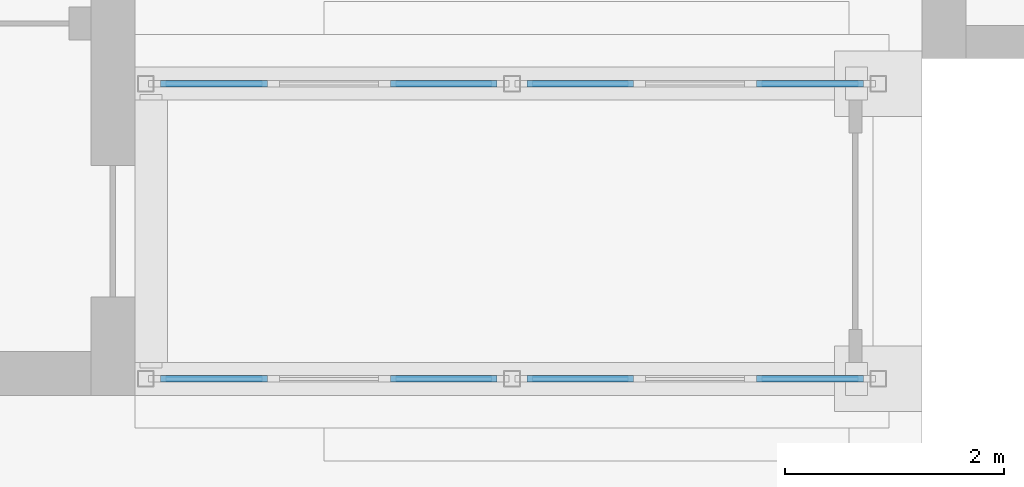
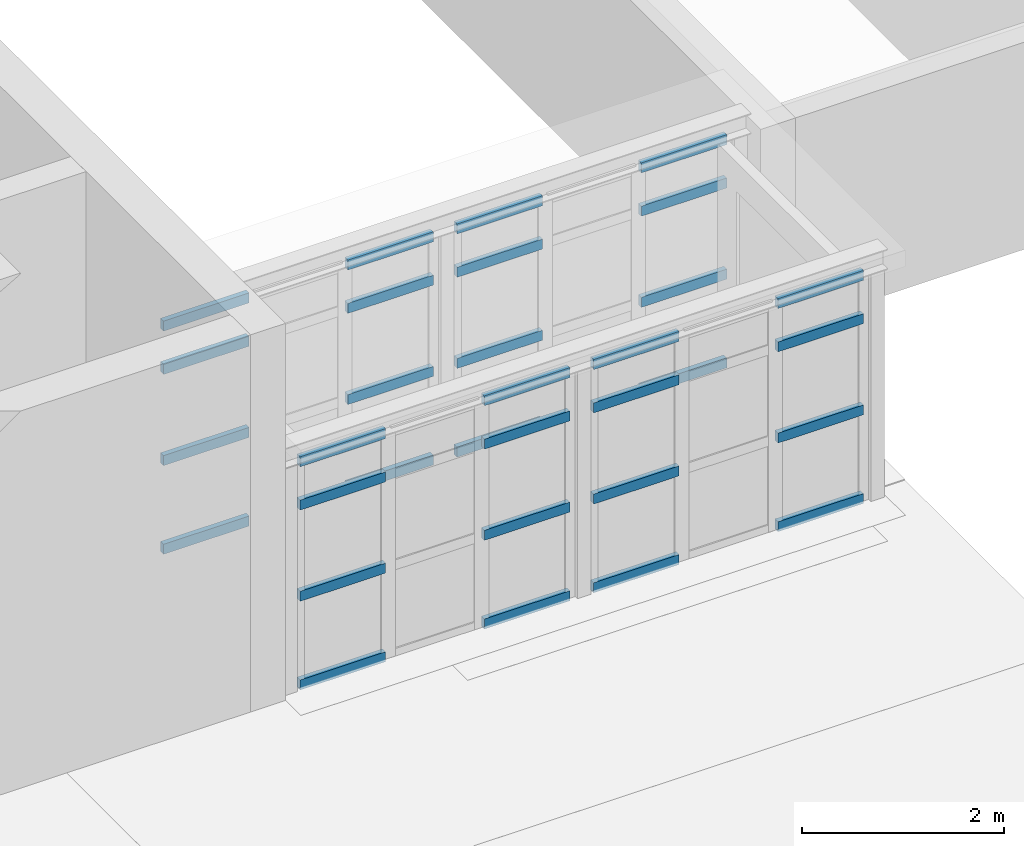
# One storey, part 58 of 131: 32 members, 4 elements without a shape of their own.
"""IFC4 building model written with IfcOpenShell, lengths in metres."""

import ifcopenshell
import ifcopenshell.guid

model = None  # the IFC model being written
_history = None  # IfcOwnerHistory: only IFC2X3 demands one
_inside = {}  # id of a spatial element -> (the spatial element, [elements in it])
_under = {}  # id of a project, library or spatial element -> (it, [spatial elements below it])
_declared = {}  # id of a project -> (the project, [libraries it declares])
_typed = {}  # id of a type object -> (the type object, [elements of that type])
_made_of = {}  # id of a material, layer set ... -> (it, [elements and type objects made of it])


def new_model(schema):
    """Start an empty IFC model of exactly this schema.

    Asked for "IFC4X3", IfcOpenShell would pick the latest addendum, in which some entities
    have other attributes; the version numbers below select the first issue.
    IFC2X3 requires an IfcOwnerHistory on every rooted entity: one is made here for all.
    """
    global model, _history
    if schema == "IFC4X3":
        model = ifcopenshell.file(schema_version=(4, 3, 0, 0))
    else:
        model = ifcopenshell.file(schema=schema)
    _inside.clear()
    _under.clear()
    _declared.clear()
    _typed.clear()
    _made_of.clear()
    _history = None
    if model.schema == "IFC2X3":
        org = make("IfcOrganization", Name="unknown")
        user = make(
            "IfcPersonAndOrganization",
            ThePerson=make("IfcPerson", FamilyName="unknown"),
            TheOrganization=org,
        )
        app = make(
            "IfcApplication",
            ApplicationDeveloper=org,
            Version="unknown",
            ApplicationFullName="unknown",
            ApplicationIdentifier="unknown",
        )
        _history = make(
            "IfcOwnerHistory",
            OwningUser=user,
            OwningApplication=app,
            ChangeAction="ADDED",
            CreationDate=0,
        )
    return model


def make(cls, **values):
    """One entity of the class cls with the attributes given. An attribute that is None is left unset."""
    return model.create_entity(
        cls, **{name: value for name, value in values.items() if value is not None}
    )


def rooted(cls, **values):
    """An entity with a GlobalId (a new one), such as an element, a storey or a relation."""
    return make(cls, GlobalId=ifcopenshell.guid.new(), OwnerHistory=_history, **values)


def si_unit(unit_type, name, prefix=None):
    """IfcSIUnit, for example si_unit("LENGTHUNIT", "METRE", prefix="MILLI")."""
    return make("IfcSIUnit", UnitType=unit_type, Prefix=prefix, Name=name)


def assignment(units):
    """IfcUnitAssignment: the units of a project."""
    return None if units is None else make("IfcUnitAssignment", Units=units)


def point(xyz):
    """IfcCartesianPoint."""
    return None if xyz is None else make("IfcCartesianPoint", Coordinates=xyz)


def direction(xyz):
    """IfcDirection."""
    return None if xyz is None else make("IfcDirection", DirectionRatios=xyz)


def frame(location, z_axis=None, x_axis=None):
    """IfcAxis2Placement3D, a coordinate frame: its origin and axes. An axis left out is left unset."""
    return make(
        "IfcAxis2Placement3D",
        Location=point(location),
        Axis=direction(z_axis),
        RefDirection=direction(x_axis),
    )


def frame_2d(location, x_axis=None):
    """IfcAxis2Placement2D, a coordinate frame in the plane: its origin and x axis."""
    return make(
        "IfcAxis2Placement2D", Location=point(location), RefDirection=direction(x_axis)
    )


def origin():
    """The frame at (0, 0, 0) with its axes left unset."""
    return frame((0.0, 0.0, 0.0))


def origin_2d():
    """The frame at (0, 0) in the plane with its x axis left unset."""
    return frame_2d((0.0, 0.0))


def place(relative_to, where):
    """IfcLocalPlacement: puts the frame where relative to a parent placement (None: the world)."""
    return make(
        "IfcLocalPlacement", PlacementRelTo=relative_to, RelativePlacement=where
    )


def context(
    kind, dimensions, precision=None, world=None, true_north=None, identifier=None
):
    """IfcGeometricRepresentationContext, for example the 3D "Model" context."""
    return make(
        "IfcGeometricRepresentationContext",
        ContextIdentifier=identifier,
        ContextType=kind,
        CoordinateSpaceDimension=dimensions,
        Precision=precision,
        WorldCoordinateSystem=world,
        TrueNorth=true_north,
    )


def subcontext(parent, identifier, kind, view, scale=None):
    """IfcGeometricRepresentationSubContext, for example "Body" below "Model"."""
    return make(
        "IfcGeometricRepresentationSubContext",
        ContextIdentifier=identifier,
        ContextType=kind,
        ParentContext=parent,
        TargetScale=scale,
        TargetView=view,
    )


def project(units=None, contexts=None):
    """IfcProject with its units and contexts."""
    return rooted(
        "IfcProject",
        Name="project",
        RepresentationContexts=contexts,
        UnitsInContext=assignment(units),
    )


def spatial(cls, under=None, at=None, **own):
    """A site, building, storey or space (cls), placed at a placement, below another one or the project."""
    s = rooted(cls, ObjectPlacement=at, **own)
    if under is not None:
        _under.setdefault(under.id(), (under, []))[1].append(s)
    return s


def profile(cls, at=None, kind="AREA", **sizes):
    """A parametric profile (cls). Its sizes go by their IFC names, for example OverallWidth=200.0."""
    return make(cls, ProfileType=kind, Position=at, **sizes)


def rectangle(**sizes):
    """IfcRectangleProfileDef."""
    return profile("IfcRectangleProfileDef", **sizes)


def extrude(swept, where, along, depth):
    """IfcExtrudedAreaSolid: the profile swept, set in the frame where, extruded along a direction by depth."""
    return make(
        "IfcExtrudedAreaSolid",
        SweptArea=swept,
        Position=where,
        ExtrudedDirection=direction(along),
        Depth=depth,
    )


def shape(context_of_items, identifier, shape_type, items):
    """IfcShapeRepresentation: the items that make up one representation, for example the "Body"."""
    return make(
        "IfcShapeRepresentation",
        ContextOfItems=context_of_items,
        RepresentationIdentifier=identifier,
        RepresentationType=shape_type,
        Items=items,
    )


def material(Name=None, Category=None):
    """IfcMaterial."""
    return make("IfcMaterial", Name=Name, Category=Category)


def layer(
    of_material, thickness, ventilated=None, Name=None, Category=None, Priority=None
):
    """IfcMaterialLayer: one layer of a wall or slab, of a material (None: an air gap)."""
    return make(
        "IfcMaterialLayer",
        Material=of_material,
        LayerThickness=thickness,
        IsVentilated=ventilated,
        Name=Name,
        Category=Category,
        Priority=Priority,
    )


def layer_set(layers, Name=None):
    """IfcMaterialLayerSet."""
    return make("IfcMaterialLayerSet", MaterialLayers=layers, LayerSetName=Name)


def material_profile(
    of_material, cross_section, Name=None, Category=None, Priority=None
):
    """IfcMaterialProfile: a cross section and its material."""
    return make(
        "IfcMaterialProfile",
        Name=Name,
        Material=of_material,
        Profile=cross_section,
        Priority=Priority,
        Category=Category,
    )


def profile_set(profiles, Name=None, composite=None):
    """IfcMaterialProfileSet."""
    return make(
        "IfcMaterialProfileSet",
        Name=Name,
        MaterialProfiles=profiles,
        CompositeProfile=composite,
    )


def made_of(thing, what):
    """Note that an element or type object is made of a material, layer set ...; save() writes the relation."""
    if what is not None:
        _made_of.setdefault(what.id(), (what, []))[1].append(thing)
    return thing


def type_object(cls, material=None, **own):
    """A type object (cls), such as IfcWallType, which elements share."""
    return made_of(rooted(cls, **own), material)


def element(
    cls,
    number,
    at=None,
    inside=None,
    cuts=None,
    type_object=None,
    material=None,
    context=None,
    identifier="Body",
    shape_type=None,
    held_by="IfcProductDefinitionShape",
    body=None,
    shapes=None,
    **own,
):
    """One element of the class cls, such as IfcWall. Its Tag is "e" and its number.

    at: its placement. inside: the storey or other place that contains it. cuts: it is an
    opening in that element (IfcRelVoidsElement). A single representation is given by context,
    identifier, shape_type and body (its items); several are given by shapes. held_by: the class
    of the entity that holds the representations. save() writes the other relations.
    """
    e = rooted(cls, Tag="e%d" % number, ObjectPlacement=at, **own)
    if body is not None:
        shapes = [shape(context, identifier, shape_type, body)]
    if shapes is not None:
        e.Representation = make(held_by, Representations=shapes)
    if inside is not None:
        _inside.setdefault(inside.id(), (inside, []))[1].append(e)
    if cuts is not None:
        rooted(
            "IfcRelVoidsElement", RelatingBuildingElement=cuts, RelatedOpeningElement=e
        )
    if type_object is not None:
        _typed.setdefault(type_object.id(), (type_object, []))[1].append(e)
    return made_of(e, material)


def aggregate(whole, parts):
    """IfcRelAggregates: a whole, such as a stair, and the parts it consists of."""
    return rooted("IfcRelAggregates", RelatingObject=whole, RelatedObjects=parts)


def save(model, path):
    """Write the relations noted so far, then the file.

    IfcRelAggregates (storeys below a building ...), IfcRelContainedInSpatialStructure (elements
    in a storey), IfcRelDefinesByType, IfcRelAssociatesMaterial and IfcRelDeclares: one each for
    every whole, place, type object, material and project.
    """
    for whole, parts in _under.values():
        aggregate(whole, parts)
    for where, things in _inside.values():
        rooted(
            "IfcRelContainedInSpatialStructure",
            RelatedElements=things,
            RelatingStructure=where,
        )
    for kind, things in _typed.values():
        rooted("IfcRelDefinesByType", RelatedObjects=things, RelatingType=kind)
    for what, things in _made_of.values():
        rooted("IfcRelAssociatesMaterial", RelatedObjects=things, RelatingMaterial=what)
    for by, libraries in _declared.values():
        rooted("IfcRelDeclares", RelatingContext=by, RelatedDefinitions=libraries)
    model.write(path)


model = new_model("IFC4")

# Units and contexts
model_context = context("Model", 3, precision=1e-05, world=origin(), true_north=direction((0.0, 1.0)))
body_context = subcontext(model_context, "Body", "Model", "MODEL_VIEW")
ifc_project = project(units=[si_unit("LENGTHUNIT", "METRE"), si_unit("AREAUNIT", "SQUARE_METRE"), si_unit("VOLUMEUNIT", "CUBIC_METRE"), si_unit("PLANEANGLEUNIT", "RADIAN"), si_unit("MASSUNIT", "GRAM", prefix="KILO")], contexts=[model_context])

# Site, building, storey
site_placement = place(None, origin())
site = spatial("IfcSite", under=ifc_project, at=site_placement, CompositionType="ELEMENT")
building_placement = place(site_placement, origin())
building = spatial("IfcBuilding", under=site, at=building_placement, Name="Alderwick Market Hall", CompositionType="ELEMENT")
storey_placement = place(building_placement, frame((0.0, 0.0, 4.800048828125)))
storey = spatial("IfcBuildingStorey", under=building, at=storey_placement, Name="L00", CompositionType="ELEMENT", Elevation=4.800048828125)

# Curtain wall, members
ifc_material = material(Name="Aluminium frame", Category="aluminium")
ifc_layer = layer(ifc_material, 0.10009765625)
ifc_layer_set = layer_set([ifc_layer], Name="Aluminium frame")
curtain_wall_type = type_object("IfcCurtainWallType", Name="P Curtain Wall 100", PredefinedType="NOTDEFINED", material=ifc_layer_set)
curtain_wall_1_placement = place(storey_placement, origin())
curtain_wall_1 = element("IfcCurtainWall", 1, at=curtain_wall_1_placement, inside=storey, type_object=curtain_wall_type, Name="P.P8.cw.a0", PredefinedType="NOTDEFINED")
ifc_material_profile = material_profile(ifc_material, rectangle(XDim=0.06005859375, YDim=0.1201171875, at=origin_2d()), Name="P Transom 60x120")
ifc_profile_set = profile_set([ifc_material_profile], Name="Aluminium frame")
member_type = type_object("IfcMemberType", Name="P Transom 60x120", PredefinedType="USERDEFINED", material=ifc_profile_set)
member_1_placement = place(storey_placement, frame((43.43603515625, 28.949951171875, 0.030029296875), z_axis=(1.0, 0.0, 0.0), x_axis=(0.0, 1.0, 0.0)))
member_1 = element("IfcMember", 2, at=member_1_placement, type_object=member_type, Name="P-CW8a0 transom 1.1", ObjectType="TRANSOM", PredefinedType="USERDEFINED", context=body_context, shape_type="SweptSolid", body=[
    extrude(rectangle(XDim=0.06005859375, YDim=0.1201171875, at=origin_2d()), origin(), (0.0, 0.0, 1.0), 0.97607421875),
])
member_2_placement = place(storey_placement, frame((43.43603515625, 28.949951171875, 1.099853515625), z_axis=(1.0, 0.0, 0.0), x_axis=(0.0, 1.0, 0.0)))
member_2 = element("IfcMember", 3, at=member_2_placement, type_object=member_type, Name="P-CW8a0 transom 1.2", ObjectType="TRANSOM", PredefinedType="USERDEFINED", context=body_context, shape_type="SweptSolid", body=[
    extrude(rectangle(XDim=0.06005859375, YDim=0.1201171875, at=origin_2d()), origin(), (0.0, 0.0, 1.0), 0.97607421875),
])
member_3_placement = place(storey_placement, frame((43.43603515625, 28.949951171875, 2.199951171875), z_axis=(1.0, 0.0, 0.0), x_axis=(0.0, 1.0, 0.0)))
member_3 = element("IfcMember", 4, at=member_3_placement, type_object=member_type, Name="P-CW8a0 transom 1.3", ObjectType="TRANSOM", PredefinedType="USERDEFINED", context=body_context, shape_type="SweptSolid", body=[
    extrude(rectangle(XDim=0.06005859375, YDim=0.1201171875, at=origin_2d()), origin(), (0.0, 0.0, 1.0), 0.97607421875),
])
member_4_placement = place(storey_placement, frame((43.43603515625, 28.949951171875, 2.722900390625), z_axis=(1.0, 0.0, 0.0), x_axis=(0.0, 1.0, 0.0)))
member_4 = element("IfcMember", 5, at=member_4_placement, type_object=member_type, Name="P-CW8a0 transom 1.4", ObjectType="TRANSOM", PredefinedType="USERDEFINED", context=body_context, shape_type="SweptSolid", body=[
    extrude(rectangle(XDim=0.06005859375, YDim=0.1201171875, at=origin_2d()), origin(), (0.0, 0.0, 1.0), 0.97607421875),
])
member_5_placement = place(storey_placement, frame((45.5380859375, 28.949951171875, 0.030029296875), z_axis=(1.0, 0.0, 0.0), x_axis=(0.0, 1.0, 0.0)))
member_5 = element("IfcMember", 6, at=member_5_placement, type_object=member_type, Name="P-CW8a0 transom 3.1", ObjectType="TRANSOM", PredefinedType="USERDEFINED", context=body_context, shape_type="SweptSolid", body=[
    extrude(rectangle(XDim=0.06005859375, YDim=0.1201171875, at=origin_2d()), origin(), (0.0, 0.0, 1.0), 0.975830078125),
])
member_6_placement = place(storey_placement, frame((45.5380859375, 28.949951171875, 1.099853515625), z_axis=(1.0, 0.0, 0.0), x_axis=(0.0, 1.0, 0.0)))
member_6 = element("IfcMember", 7, at=member_6_placement, type_object=member_type, Name="P-CW8a0 transom 3.2", ObjectType="TRANSOM", PredefinedType="USERDEFINED", context=body_context, shape_type="SweptSolid", body=[
    extrude(rectangle(XDim=0.06005859375, YDim=0.1201171875, at=origin_2d()), origin(), (0.0, 0.0, 1.0), 0.975830078125),
])
member_7_placement = place(storey_placement, frame((45.5380859375, 28.949951171875, 2.199951171875), z_axis=(1.0, 0.0, 0.0), x_axis=(0.0, 1.0, 0.0)))
member_7 = element("IfcMember", 8, at=member_7_placement, type_object=member_type, Name="P-CW8a0 transom 3.3", ObjectType="TRANSOM", PredefinedType="USERDEFINED", context=body_context, shape_type="SweptSolid", body=[
    extrude(rectangle(XDim=0.06005859375, YDim=0.1201171875, at=origin_2d()), origin(), (0.0, 0.0, 1.0), 0.975830078125),
])
member_8_placement = place(storey_placement, frame((45.5380859375, 28.949951171875, 2.722900390625), z_axis=(1.0, 0.0, 0.0), x_axis=(0.0, 1.0, 0.0)))
member_8 = element("IfcMember", 9, at=member_8_placement, type_object=member_type, Name="P-CW8a0 transom 3.4", ObjectType="TRANSOM", PredefinedType="USERDEFINED", context=body_context, shape_type="SweptSolid", body=[
    extrude(rectangle(XDim=0.06005859375, YDim=0.1201171875, at=origin_2d()), origin(), (0.0, 0.0, 1.0), 0.975830078125),
])
aggregate(curtain_wall_1, [member_1, member_2, member_3, member_4, member_5, member_6, member_7, member_8])

curtain_wall_2_placement = place(storey_placement, origin())
curtain_wall_2 = element("IfcCurtainWall", 10, at=curtain_wall_2_placement, inside=storey, type_object=curtain_wall_type, Name="P.P8.cw.a1", PredefinedType="NOTDEFINED")
member_9_placement = place(storey_placement, frame((46.785888671875, 28.949951171875, 0.030029296875), z_axis=(1.0, 0.0, 0.0), x_axis=(0.0, 1.0, 0.0)))
member_9 = element("IfcMember", 11, at=member_9_placement, type_object=member_type, Name="P-CW8a1 transom 1.1", ObjectType="TRANSOM", PredefinedType="USERDEFINED", context=body_context, shape_type="SweptSolid", body=[
    extrude(rectangle(XDim=0.06005859375, YDim=0.1201171875, at=origin_2d()), origin(), (0.0, 0.0, 1.0), 0.97607421875),
])
member_10_placement = place(storey_placement, frame((46.785888671875, 28.949951171875, 1.099853515625), z_axis=(1.0, 0.0, 0.0), x_axis=(0.0, 1.0, 0.0)))
member_10 = element("IfcMember", 12, at=member_10_placement, type_object=member_type, Name="P-CW8a1 transom 1.2", ObjectType="TRANSOM", PredefinedType="USERDEFINED", context=body_context, shape_type="SweptSolid", body=[
    extrude(rectangle(XDim=0.06005859375, YDim=0.1201171875, at=origin_2d()), origin(), (0.0, 0.0, 1.0), 0.97607421875),
])
member_11_placement = place(storey_placement, frame((46.785888671875, 28.949951171875, 2.199951171875), z_axis=(1.0, 0.0, 0.0), x_axis=(0.0, 1.0, 0.0)))
member_11 = element("IfcMember", 13, at=member_11_placement, type_object=member_type, Name="P-CW8a1 transom 1.3", ObjectType="TRANSOM", PredefinedType="USERDEFINED", context=body_context, shape_type="SweptSolid", body=[
    extrude(rectangle(XDim=0.06005859375, YDim=0.1201171875, at=origin_2d()), origin(), (0.0, 0.0, 1.0), 0.97607421875),
])
member_12_placement = place(storey_placement, frame((46.785888671875, 28.949951171875, 2.722900390625), z_axis=(1.0, 0.0, 0.0), x_axis=(0.0, 1.0, 0.0)))
member_12 = element("IfcMember", 14, at=member_12_placement, type_object=member_type, Name="P-CW8a1 transom 1.4", ObjectType="TRANSOM", PredefinedType="USERDEFINED", context=body_context, shape_type="SweptSolid", body=[
    extrude(rectangle(XDim=0.06005859375, YDim=0.1201171875, at=origin_2d()), origin(), (0.0, 0.0, 1.0), 0.97607421875),
])
member_13_placement = place(storey_placement, frame((48.887939453125, 28.949951171875, 0.030029296875), z_axis=(1.0, 0.0, 0.0), x_axis=(0.0, 1.0, 0.0)))
member_13 = element("IfcMember", 15, at=member_13_placement, type_object=member_type, Name="P-CW8a1 transom 3.1", ObjectType="TRANSOM", PredefinedType="USERDEFINED", context=body_context, shape_type="SweptSolid", body=[
    extrude(rectangle(XDim=0.06005859375, YDim=0.1201171875, at=origin_2d()), origin(), (0.0, 0.0, 1.0), 0.97607421875),
])
member_14_placement = place(storey_placement, frame((48.887939453125, 28.949951171875, 1.099853515625), z_axis=(1.0, 0.0, 0.0), x_axis=(0.0, 1.0, 0.0)))
member_14 = element("IfcMember", 16, at=member_14_placement, type_object=member_type, Name="P-CW8a1 transom 3.2", ObjectType="TRANSOM", PredefinedType="USERDEFINED", context=body_context, shape_type="SweptSolid", body=[
    extrude(rectangle(XDim=0.06005859375, YDim=0.1201171875, at=origin_2d()), origin(), (0.0, 0.0, 1.0), 0.97607421875),
])
member_15_placement = place(storey_placement, frame((48.887939453125, 28.949951171875, 2.199951171875), z_axis=(1.0, 0.0, 0.0), x_axis=(0.0, 1.0, 0.0)))
member_15 = element("IfcMember", 17, at=member_15_placement, type_object=member_type, Name="P-CW8a1 transom 3.3", ObjectType="TRANSOM", PredefinedType="USERDEFINED", context=body_context, shape_type="SweptSolid", body=[
    extrude(rectangle(XDim=0.06005859375, YDim=0.1201171875, at=origin_2d()), origin(), (0.0, 0.0, 1.0), 0.97607421875),
])
member_16_placement = place(storey_placement, frame((48.887939453125, 28.949951171875, 2.722900390625), z_axis=(1.0, 0.0, 0.0), x_axis=(0.0, 1.0, 0.0)))
member_16 = element("IfcMember", 18, at=member_16_placement, type_object=member_type, Name="P-CW8a1 transom 3.4", ObjectType="TRANSOM", PredefinedType="USERDEFINED", context=body_context, shape_type="SweptSolid", body=[
    extrude(rectangle(XDim=0.06005859375, YDim=0.1201171875, at=origin_2d()), origin(), (0.0, 0.0, 1.0), 0.97607421875),
])
aggregate(curtain_wall_2, [member_9, member_10, member_11, member_12, member_13, member_14, member_15, member_16])

curtain_wall_3_placement = place(storey_placement, origin())
curtain_wall_3 = element("IfcCurtainWall", 19, at=curtain_wall_3_placement, inside=storey, type_object=curtain_wall_type, Name="P.P8.cw.b0", PredefinedType="NOTDEFINED")
member_17_placement = place(storey_placement, frame((43.43603515625, 31.64990234375, 0.030029296875), z_axis=(1.0, 0.0, 0.0), x_axis=(0.0, 1.0, 0.0)))
member_17 = element("IfcMember", 20, at=member_17_placement, type_object=member_type, Name="P-CW8b0 transom 1.1", ObjectType="TRANSOM", PredefinedType="USERDEFINED", context=body_context, shape_type="SweptSolid", body=[
    extrude(rectangle(XDim=0.06005859375, YDim=0.1201171875, at=origin_2d()), origin(), (0.0, 0.0, 1.0), 0.97607421875),
])
member_18_placement = place(storey_placement, frame((43.43603515625, 31.64990234375, 1.099853515625), z_axis=(1.0, 0.0, 0.0), x_axis=(0.0, 1.0, 0.0)))
member_18 = element("IfcMember", 21, at=member_18_placement, type_object=member_type, Name="P-CW8b0 transom 1.2", ObjectType="TRANSOM", PredefinedType="USERDEFINED", context=body_context, shape_type="SweptSolid", body=[
    extrude(rectangle(XDim=0.06005859375, YDim=0.1201171875, at=origin_2d()), origin(), (0.0, 0.0, 1.0), 0.97607421875),
])
member_19_placement = place(storey_placement, frame((43.43603515625, 31.64990234375, 2.199951171875), z_axis=(1.0, 0.0, 0.0), x_axis=(0.0, 1.0, 0.0)))
member_19 = element("IfcMember", 22, at=member_19_placement, type_object=member_type, Name="P-CW8b0 transom 1.3", ObjectType="TRANSOM", PredefinedType="USERDEFINED", context=body_context, shape_type="SweptSolid", body=[
    extrude(rectangle(XDim=0.06005859375, YDim=0.1201171875, at=origin_2d()), origin(), (0.0, 0.0, 1.0), 0.97607421875),
])
member_20_placement = place(storey_placement, frame((43.43603515625, 31.64990234375, 2.722900390625), z_axis=(1.0, 0.0, 0.0), x_axis=(0.0, 1.0, 0.0)))
member_20 = element("IfcMember", 23, at=member_20_placement, type_object=member_type, Name="P-CW8b0 transom 1.4", ObjectType="TRANSOM", PredefinedType="USERDEFINED", context=body_context, shape_type="SweptSolid", body=[
    extrude(rectangle(XDim=0.06005859375, YDim=0.1201171875, at=origin_2d()), origin(), (0.0, 0.0, 1.0), 0.97607421875),
])
member_21_placement = place(storey_placement, frame((45.5380859375, 31.64990234375, 0.030029296875), z_axis=(1.0, 0.0, 0.0), x_axis=(0.0, 1.0, 0.0)))
member_21 = element("IfcMember", 24, at=member_21_placement, type_object=member_type, Name="P-CW8b0 transom 3.1", ObjectType="TRANSOM", PredefinedType="USERDEFINED", context=body_context, shape_type="SweptSolid", body=[
    extrude(rectangle(XDim=0.06005859375, YDim=0.1201171875, at=origin_2d()), origin(), (0.0, 0.0, 1.0), 0.975830078125),
])
member_22_placement = place(storey_placement, frame((45.5380859375, 31.64990234375, 1.099853515625), z_axis=(1.0, 0.0, 0.0), x_axis=(0.0, 1.0, 0.0)))
member_22 = element("IfcMember", 25, at=member_22_placement, type_object=member_type, Name="P-CW8b0 transom 3.2", ObjectType="TRANSOM", PredefinedType="USERDEFINED", context=body_context, shape_type="SweptSolid", body=[
    extrude(rectangle(XDim=0.06005859375, YDim=0.1201171875, at=origin_2d()), origin(), (0.0, 0.0, 1.0), 0.975830078125),
])
member_23_placement = place(storey_placement, frame((45.5380859375, 31.64990234375, 2.199951171875), z_axis=(1.0, 0.0, 0.0), x_axis=(0.0, 1.0, 0.0)))
member_23 = element("IfcMember", 26, at=member_23_placement, type_object=member_type, Name="P-CW8b0 transom 3.3", ObjectType="TRANSOM", PredefinedType="USERDEFINED", context=body_context, shape_type="SweptSolid", body=[
    extrude(rectangle(XDim=0.06005859375, YDim=0.1201171875, at=origin_2d()), origin(), (0.0, 0.0, 1.0), 0.975830078125),
])
member_24_placement = place(storey_placement, frame((45.5380859375, 31.64990234375, 2.722900390625), z_axis=(1.0, 0.0, 0.0), x_axis=(0.0, 1.0, 0.0)))
member_24 = element("IfcMember", 27, at=member_24_placement, type_object=member_type, Name="P-CW8b0 transom 3.4", ObjectType="TRANSOM", PredefinedType="USERDEFINED", context=body_context, shape_type="SweptSolid", body=[
    extrude(rectangle(XDim=0.06005859375, YDim=0.1201171875, at=origin_2d()), origin(), (0.0, 0.0, 1.0), 0.975830078125),
])
aggregate(curtain_wall_3, [member_17, member_18, member_19, member_20, member_21, member_22, member_23, member_24])

curtain_wall_4_placement = place(storey_placement, origin())
curtain_wall_4 = element("IfcCurtainWall", 28, at=curtain_wall_4_placement, inside=storey, type_object=curtain_wall_type, Name="P.P8.cw.b1", PredefinedType="NOTDEFINED")
member_25_placement = place(storey_placement, frame((46.785888671875, 31.64990234375, 0.030029296875), z_axis=(1.0, 0.0, 0.0), x_axis=(0.0, 1.0, 0.0)))
member_25 = element("IfcMember", 29, at=member_25_placement, type_object=member_type, Name="P-CW8b1 transom 1.1", ObjectType="TRANSOM", PredefinedType="USERDEFINED", context=body_context, shape_type="SweptSolid", body=[
    extrude(rectangle(XDim=0.06005859375, YDim=0.1201171875, at=origin_2d()), origin(), (0.0, 0.0, 1.0), 0.97607421875),
])
member_26_placement = place(storey_placement, frame((46.785888671875, 31.64990234375, 1.099853515625), z_axis=(1.0, 0.0, 0.0), x_axis=(0.0, 1.0, 0.0)))
member_26 = element("IfcMember", 30, at=member_26_placement, type_object=member_type, Name="P-CW8b1 transom 1.2", ObjectType="TRANSOM", PredefinedType="USERDEFINED", context=body_context, shape_type="SweptSolid", body=[
    extrude(rectangle(XDim=0.06005859375, YDim=0.1201171875, at=origin_2d()), origin(), (0.0, 0.0, 1.0), 0.97607421875),
])
member_27_placement = place(storey_placement, frame((46.785888671875, 31.64990234375, 2.199951171875), z_axis=(1.0, 0.0, 0.0), x_axis=(0.0, 1.0, 0.0)))
member_27 = element("IfcMember", 31, at=member_27_placement, type_object=member_type, Name="P-CW8b1 transom 1.3", ObjectType="TRANSOM", PredefinedType="USERDEFINED", context=body_context, shape_type="SweptSolid", body=[
    extrude(rectangle(XDim=0.06005859375, YDim=0.1201171875, at=origin_2d()), origin(), (0.0, 0.0, 1.0), 0.97607421875),
])
member_28_placement = place(storey_placement, frame((46.785888671875, 31.64990234375, 2.722900390625), z_axis=(1.0, 0.0, 0.0), x_axis=(0.0, 1.0, 0.0)))
member_28 = element("IfcMember", 32, at=member_28_placement, type_object=member_type, Name="P-CW8b1 transom 1.4", ObjectType="TRANSOM", PredefinedType="USERDEFINED", context=body_context, shape_type="SweptSolid", body=[
    extrude(rectangle(XDim=0.06005859375, YDim=0.1201171875, at=origin_2d()), origin(), (0.0, 0.0, 1.0), 0.97607421875),
])
member_29_placement = place(storey_placement, frame((48.887939453125, 31.64990234375, 0.030029296875), z_axis=(1.0, 0.0, 0.0), x_axis=(0.0, 1.0, 0.0)))
member_29 = element("IfcMember", 33, at=member_29_placement, type_object=member_type, Name="P-CW8b1 transom 3.1", ObjectType="TRANSOM", PredefinedType="USERDEFINED", context=body_context, shape_type="SweptSolid", body=[
    extrude(rectangle(XDim=0.06005859375, YDim=0.1201171875, at=origin_2d()), origin(), (0.0, 0.0, 1.0), 0.97607421875),
])
member_30_placement = place(storey_placement, frame((48.887939453125, 31.64990234375, 1.099853515625), z_axis=(1.0, 0.0, 0.0), x_axis=(0.0, 1.0, 0.0)))
member_30 = element("IfcMember", 34, at=member_30_placement, type_object=member_type, Name="P-CW8b1 transom 3.2", ObjectType="TRANSOM", PredefinedType="USERDEFINED", context=body_context, shape_type="SweptSolid", body=[
    extrude(rectangle(XDim=0.06005859375, YDim=0.1201171875, at=origin_2d()), origin(), (0.0, 0.0, 1.0), 0.97607421875),
])
member_31_placement = place(storey_placement, frame((48.887939453125, 31.64990234375, 2.199951171875), z_axis=(1.0, 0.0, 0.0), x_axis=(0.0, 1.0, 0.0)))
member_31 = element("IfcMember", 35, at=member_31_placement, type_object=member_type, Name="P-CW8b1 transom 3.3", ObjectType="TRANSOM", PredefinedType="USERDEFINED", context=body_context, shape_type="SweptSolid", body=[
    extrude(rectangle(XDim=0.06005859375, YDim=0.1201171875, at=origin_2d()), origin(), (0.0, 0.0, 1.0), 0.97607421875),
])
member_32_placement = place(storey_placement, frame((48.887939453125, 31.64990234375, 2.722900390625), z_axis=(1.0, 0.0, 0.0), x_axis=(0.0, 1.0, 0.0)))
member_32 = element("IfcMember", 36, at=member_32_placement, type_object=member_type, Name="P-CW8b1 transom 3.4", ObjectType="TRANSOM", PredefinedType="USERDEFINED", context=body_context, shape_type="SweptSolid", body=[
    extrude(rectangle(XDim=0.06005859375, YDim=0.1201171875, at=origin_2d()), origin(), (0.0, 0.0, 1.0), 0.97607421875),
])
aggregate(curtain_wall_4, [member_25, member_26, member_27, member_28, member_29, member_30, member_31, member_32])

save(model, "model.ifc")
